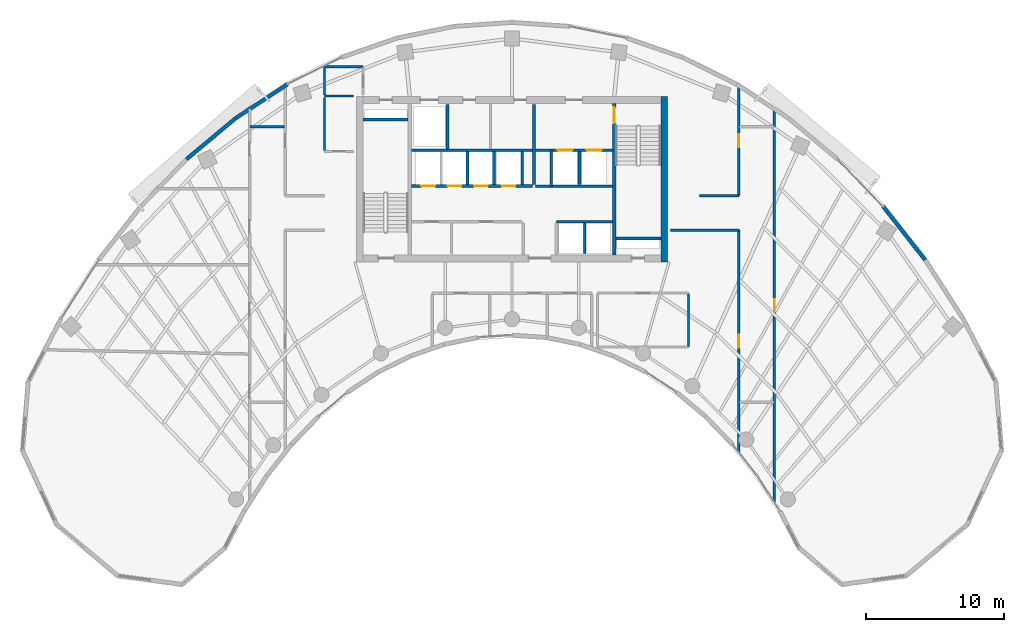
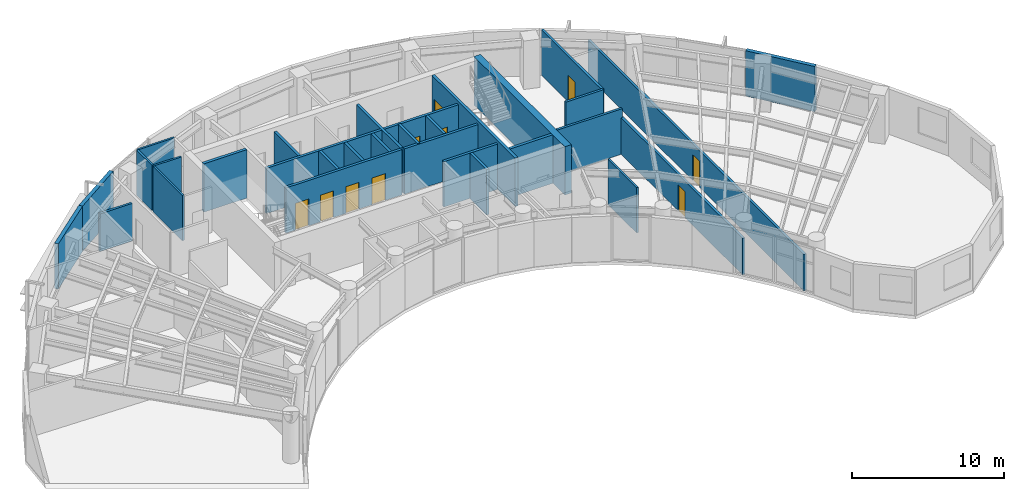
# One storey, part 9 of 13: 31 walls, 10 doors, 10 openings.
"""IFC4 building model written with IfcOpenShell, lengths in metres."""

from ifc_helpers import new_model, si_unit, direction, frame, frame_2d, origin, place, context, subcontext, project, spatial, rectangle, extrude, source, transform, mapped, material, layer, layer_set, type_object, type_shapes, element, fill, save


model = new_model("IFC4")

# Units and contexts
model_context = context("Model", 3, precision=1e-05, world=origin(), true_north=direction((0.0, 1.0)))
body_context = subcontext(model_context, "Body", "Model", "MODEL_VIEW")
ifc_project = project(units=[si_unit("LENGTHUNIT", "METRE"), si_unit("AREAUNIT", "SQUARE_METRE"), si_unit("VOLUMEUNIT", "CUBIC_METRE"), si_unit("PLANEANGLEUNIT", "RADIAN"), si_unit("MASSUNIT", "GRAM", prefix="KILO")], contexts=[model_context])

# Site, building, storey
site_placement = place(None, origin())
site = spatial("IfcSite", under=ifc_project, at=site_placement, CompositionType="ELEMENT")
building_placement = place(site_placement, origin())
building = spatial("IfcBuilding", under=site, at=building_placement, Name="Breltana Convention Tower", CompositionType="ELEMENT")
storey_placement = place(building_placement, frame((0.0, 0.0, 170.10009765625)))
storey = spatial("IfcBuildingStorey", under=building, at=storey_placement, Name="L41", CompositionType="ELEMENT", Elevation=170.10009765625)

# Walls
ifc_material_1 = material(Name="Concrete C60/75", Category="concrete")
ifc_layer_1 = layer(ifc_material_1, 0.5, Name="Concrete C60/75")
ifc_layer_set_1 = layer_set([ifc_layer_1], Name="Concrete C60/75")
wall_type_1 = type_object("IfcWallType", Name="SW-CORE-500", PredefinedType="SHEAR", material=ifc_layer_set_1)
shared_shape_1 = source(origin(), body_context, "Body", "SweptSolid", [
    extrude(rectangle(XDim=12.0, YDim=0.5, at=frame_2d((6.0, 0.0))), origin(), (0.0, 0.0, 1.0), 3.89990234375),
])
wall_1_placement = place(storey_placement, frame((59.050048828125, 60.199951171875, 0.0), z_axis=(0.0, 0.0, 1.0), x_axis=(0.0, 1.0, 0.0)))
element("IfcWall", 1, at=wall_1_placement, inside=storey, type_object=wall_type_1, Name="L41 East Core Shear Wall", PredefinedType="SHEAR", context=body_context, shape_type="MappedRepresentation", body=[
    mapped(shared_shape_1, transform((0.0, 0.0, 0.0), scale=1.0)),
])
ifc_material_2 = material(Name="Concrete C50/60", Category="concrete")
ifc_layer_2 = layer(ifc_material_2, 0.39990234375, Name="Concrete C50/60")
ifc_layer_set_2 = layer_set([ifc_layer_2], Name="Concrete C50/60")
wall_type_2 = type_object("IfcWallType", Name="SW-CORE-400", PredefinedType="SHEAR", material=ifc_layer_set_2)
shared_shape_2 = source(origin(), body_context, "Body", "SweptSolid", [
    extrude(rectangle(XDim=3.27001953125, YDim=0.219970703125, at=frame_2d((1.635009765625, 0.0))), origin(), (0.0, 0.0, 1.0), 3.89990234375),
])
for number, where, z_axis, x_axis, name in (
    (2, (37.199951171875, 70.510009765625, 0.0), (0.0, 0.0, 1.0), (1.0, 0.0, 0.0), "L41 ST-1 Stairwell North Bearing Wall"),
    (3, (55.530029296875, 61.889892578125, 0.0), (0.0, 0.0, 1.0), (1.0, 0.0, 0.0), "L41 ST-2 Stairwell South Bearing Wall"),
):
    element("IfcWall", number, at=place(storey_placement, frame(where, z_axis=z_axis, x_axis=x_axis)), inside=storey, type_object=wall_type_2, Name=name, PredefinedType="SHEAR", context=body_context, shape_type="MappedRepresentation", body=[
        mapped(shared_shape_2, transform((0.0, 0.0, 0.0), scale=1.0)),
    ])

# Wall, opening, door
shared_shape_3 = source(origin(), body_context, "Body", "SweptSolid", [
    extrude(rectangle(XDim=11.0, YDim=0.219970703125, at=frame_2d((5.5, 0.0))), origin(), (0.0, 0.0, 1.0), 3.89990234375),
])
wall_2_placement = place(storey_placement, frame((55.419921875, 60.699951171875, 0.0), z_axis=(0.0, 0.0, 1.0), x_axis=(0.0, 1.0, 0.0)))
wall_2 = element("IfcWall", 4, at=wall_2_placement, inside=storey, type_object=wall_type_2, Name="L41 Core East Stair Spine Wall", PredefinedType="SHEAR", context=body_context, shape_type="MappedRepresentation", body=[
    mapped(shared_shape_3, transform((0.0, 0.0, 0.0), scale=1.0)),
])
opening_1_placement = place(wall_2_placement, frame((9.544921875, 0.0, 0.0)))
opening_1 = element("IfcOpeningElement", 5, at=opening_1_placement, cuts=wall_2, Name="Opening D-11", PredefinedType="OPENING", context=body_context, shape_type="SweptSolid", body=[
    extrude(rectangle(XDim=1.14990234375, YDim=2.14990234375, at=frame_2d((0.574951171875, 1.074951171875))), frame((0.0, 0.1201171875, 0.0), z_axis=(0.0, -1.0, 0.0), x_axis=(1.0, 0.0, 0.0)), (0.0, 0.0, 1.0), 0.239990234375),
])
ifc_material_3 = material(Name="Steel Stair Exit Door", Category="steel")
door_type_1 = type_object("IfcDoorType", Name="DR-FD120-1150", OperationType="NOTDEFINED", PredefinedType="DOOR", material=ifc_material_3)
shared_shape_4 = source(origin(), body_context, "Body", "SweptSolid", [
    extrude(rectangle(XDim=1.14990234375, YDim=2.14990234375, at=frame_2d((0.574951171875, 1.074951171875))), frame((0.0, 0.02490234375, 0.0), z_axis=(0.0, -1.0, 0.0), x_axis=(1.0, 0.0, 0.0)), (0.0, 0.0, 1.0), 0.050048828125),
])
type_shapes(door_type_1, [shared_shape_4])
door_1_placement = place(opening_1_placement, origin())
door_1 = element("IfcDoor", 6, at=door_1_placement, inside=storey, type_object=door_type_1, Name="L41 interior door D-L41-ST2", OperationType="SINGLE_SWING_LEFT", OverallHeight=2.14990234375, OverallWidth=1.14990234375, PredefinedType="DOOR", context=body_context, shape_type="MappedRepresentation", body=[
    mapped(shared_shape_4, transform((0.0, 0.0, 0.0), scale=1.0)),
])
fill(opening_1, door_1)

# Walls
ifc_material_4 = material(Name="Limestone Buff Insulated Wall", Category="masonry")
ifc_layer_3 = layer(ifc_material_4, 0.280029296875, Name="Limestone Buff Insulated Wall")
ifc_layer_set_3 = layer_set([ifc_layer_3], Name="Limestone Buff Insulated Wall")
wall_type_3 = type_object("IfcWallType", Name="WL-EXT-NOSE-280", PredefinedType="SOLIDWALL", material=ifc_layer_set_3)
shared_shape_5 = source(origin(), body_context, "Body", "SweptSolid", [
    extrude(rectangle(XDim=4.921630859375, YDim=0.280029296875, at=frame_2d((2.4609375, 0.0))), origin(), (0.0, 0.0, 1.0), 3.64990234375),
])
wall_3_placement = place(storey_placement, frame((74.936279296875, 64.206298828125, 0.0), z_axis=(0.0, 0.0, 1.0), x_axis=(0.61817639101, -0.786039407153, 0.0)))
element("IfcWall", 7, at=wall_3_placement, inside=storey, type_object=wall_type_3, Name="L41 curved limestone nose wall E32", PredefinedType="SOLIDWALL", context=body_context, shape_type="MappedRepresentation", body=[
    mapped(shared_shape_5, transform((0.0, 0.0, 0.0), scale=1.0)),
])
shared_shape_6 = source(origin(), body_context, "Body", "SweptSolid", [
    extrude(rectangle(XDim=4.633544921875, YDim=0.280029296875, at=frame_2d((2.31689453125, 0.0))), origin(), (0.0, 0.0, 1.0), 3.64990234375),
])
wall_4_placement = place(storey_placement, frame((24.381103515625, 67.64208984375, 0.0), z_axis=(0.0, 0.0, 1.0), x_axis=(0.767910229096, 0.640557475993, 0.0)))
element("IfcWall", 8, at=wall_4_placement, inside=storey, type_object=wall_type_3, Name="L41 curved limestone nose wall E22", PredefinedType="SOLIDWALL", context=body_context, shape_type="MappedRepresentation", body=[
    mapped(shared_shape_6, transform((0.0, 0.0, 0.0), scale=1.0)),
])
shared_shape_7 = source(origin(), body_context, "Body", "SweptSolid", [
    extrude(rectangle(XDim=4.500732421875, YDim=0.280029296875, at=frame_2d((2.25048828125, 0.0))), origin(), (0.0, 0.0, 1.0), 3.64990234375),
])
wall_5_placement = place(storey_placement, frame((27.939208984375, 70.610107421875, 0.0), z_axis=(0.0, 0.0, 1.0), x_axis=(0.835984920737, 0.548752414391, 0.0)))
element("IfcWall", 9, at=wall_5_placement, inside=storey, type_object=wall_type_3, Name="L41 curved limestone nose wall E23", PredefinedType="SOLIDWALL", context=body_context, shape_type="MappedRepresentation", body=[
    mapped(shared_shape_7, transform((0.0, 0.0, 0.0), scale=1.0)),
])

# Wall, openings, doors
ifc_material_5 = material(Name="Autoclaved Aerated Concrete Block", Category="concrete")
ifc_layer_4 = layer(ifc_material_5, 0.199951171875, Name="Autoclaved Aerated Concrete Block")
ifc_layer_set_4 = layer_set([ifc_layer_4], Name="Autoclaved Aerated Concrete Block")
wall_type_4 = type_object("IfcWallType", Name="WL-SHAFT-200", PredefinedType="SOLIDWALL", material=ifc_layer_set_4)
shared_shape_8 = source(origin(), body_context, "Body", "SweptSolid", [
    extrude(rectangle(XDim=5.6201171875, YDim=0.199951171875, at=frame_2d((2.81005859375, 0.0))), origin(), (0.0, 0.0, 1.0), 3.64990234375),
])
wall_6_placement = place(storey_placement, frame((49.699951171875, 68.300048828125, 0.0), z_axis=(0.0, 0.0, 1.0), x_axis=(1.0, 0.0, 0.0)))
wall_6 = element("IfcWall", 10, at=wall_6_placement, inside=storey, type_object=wall_type_4, Name="L41 interior partition W-L41-FFL-S", PredefinedType="SOLIDWALL", context=body_context, shape_type="MappedRepresentation", body=[
    mapped(shared_shape_8, transform((0.0, 0.0, 0.0), scale=1.0)),
])
opening_2_placement = place(wall_6_placement, frame((1.60009765625, 0.0, 0.0)))
opening_2 = element("IfcOpeningElement", 11, at=opening_2_placement, cuts=wall_6, Name="Opening LD-03", PredefinedType="OPENING", context=body_context, shape_type="SweptSolid", body=[
    extrude(rectangle(XDim=1.10009765625, YDim=2.14990234375, at=frame_2d((0.550048828125, 1.074951171875))), frame((0.0, 0.10986328125, 0.0), z_axis=(0.0, -1.0, 0.0), x_axis=(1.0, 0.0, 0.0)), (0.0, 0.0, 1.0), 0.219970703125),
])
opening_3_placement = place(wall_6_placement, frame((3.699951171875, 0.0, 0.0)))
opening_3 = element("IfcOpeningElement", 12, at=opening_3_placement, cuts=wall_6, Name="Opening LD-03", PredefinedType="OPENING", context=body_context, shape_type="SweptSolid", body=[
    extrude(rectangle(XDim=1.10009765625, YDim=2.14990234375, at=frame_2d((0.550048828125, 1.074951171875))), frame((0.0, 0.10986328125, 0.0), z_axis=(0.0, -1.0, 0.0), x_axis=(1.0, 0.0, 0.0)), (0.0, 0.0, 1.0), 0.219970703125),
])
ifc_material_6 = material(Name="Stainless Steel Brushed", Category="steel")
door_type_2 = type_object("IfcDoorType", Name="DR-LD-FF-1100", OperationType="DOUBLE_DOOR_SLIDING", PredefinedType="DOOR", material=ifc_material_6)
shared_shape_9 = source(origin(), body_context, "Body", "SweptSolid", [
    extrude(rectangle(XDim=1.10009765625, YDim=2.14990234375, at=frame_2d((0.550048828125, 1.074951171875))), frame((0.0, 0.02490234375, 0.0), z_axis=(0.0, -1.0, 0.0), x_axis=(1.0, 0.0, 0.0)), (0.0, 0.0, 1.0), 0.050048828125),
])
type_shapes(door_type_2, [shared_shape_9])
door_2_placement = place(opening_2_placement, origin())
door_2 = element("IfcDoor", 13, at=door_2_placement, inside=storey, type_object=door_type_2, Name="L41 Lift Landing Door D-L41-LD-FL1", OperationType="DOUBLE_DOOR_SLIDING", OverallHeight=2.14990234375, OverallWidth=1.10009765625, PredefinedType="DOOR", context=body_context, shape_type="MappedRepresentation", body=[
    mapped(shared_shape_9, transform((0.0, 0.0, 0.0), scale=1.0)),
])
fill(opening_2, door_2)
door_3_placement = place(opening_3_placement, origin())
door_3 = element("IfcDoor", 14, at=door_3_placement, inside=storey, type_object=door_type_2, Name="L41 Lift Landing Door D-L41-LD-FL2", OperationType="DOUBLE_DOOR_SLIDING", OverallHeight=2.14990234375, OverallWidth=1.10009765625, PredefinedType="DOOR", context=body_context, shape_type="MappedRepresentation", body=[
    mapped(shared_shape_9, transform((0.0, 0.0, 0.0), scale=1.0)),
])
fill(opening_3, door_3)

# Walls
wall_7_placement = place(storey_placement, frame((49.699951171875, 65.679931640625, 0.0), z_axis=(0.0, 0.0, 1.0), x_axis=(1.0, 0.0, 0.0)))
element("IfcWall", 15, at=wall_7_placement, inside=storey, type_object=wall_type_4, Name="L41 interior partition W-L41-FL-S", PredefinedType="SOLIDWALL", context=body_context, shape_type="MappedRepresentation", body=[
    mapped(shared_shape_8, transform((0.0, 0.0, 0.0), scale=1.0)),
])
shared_shape_10 = source(origin(), body_context, "Body", "SweptSolid", [
    extrude(rectangle(XDim=5.800048828125, YDim=0.199951171875, at=frame_2d((2.89990234375, 0.0))), origin(), (0.0, 0.0, 1.0), 3.64990234375),
])
wall_8_placement = place(storey_placement, frame((49.60009765625, 65.800048828125, 0.0), z_axis=(0.0, 0.0, 1.0), x_axis=(0.0, 1.0, 0.0)))
element("IfcWall", 16, at=wall_8_placement, inside=storey, type_object=wall_type_4, Name="L41 interior partition W-L41-FFL-W", PredefinedType="SOLIDWALL", context=body_context, shape_type="MappedRepresentation", body=[
    mapped(shared_shape_10, transform((0.0, 0.0, 0.0), scale=1.0)),
])
shared_shape_11 = source(origin(), body_context, "Body", "SweptSolid", [
    extrude(rectangle(XDim=2.580078125, YDim=0.199951171875, at=frame_2d((1.2900390625, 0.0))), origin(), (0.0, 0.0, 1.0), 3.64990234375),
])
wall_9_placement = place(storey_placement, frame((50.85009765625, 65.679931640625, 0.0), z_axis=(0.0, 0.0, 1.0), x_axis=(0.0, 1.0, 0.0)))
element("IfcWall", 17, at=wall_9_placement, inside=storey, type_object=wall_type_4, Name="L41 interior partition W-L41-FL-W", PredefinedType="SOLIDWALL", context=body_context, shape_type="MappedRepresentation", body=[
    mapped(shared_shape_11, transform((0.0, 0.0, 0.0), scale=1.0)),
])
shared_shape_12 = source(origin(), body_context, "Body", "SweptSolid", [
    extrude(rectangle(XDim=2.39990234375, YDim=0.199951171875, at=frame_2d((1.199951171875, 0.0))), origin(), (0.0, 0.0, 1.0), 3.64990234375),
])
for number, where, z_axis, x_axis, name in (
    (18, (52.89990234375, 65.800048828125, 0.0), (0.0, 0.0, 1.0), (0.0, 1.0, 0.0), "L41 interior partition W-L41-FL-DIV"),
    (19, (48.75, 65.800048828125, 0.0), (0.0, 0.0, 1.0), (0.0, 1.0, 0.0), "L41 interior partition W-L41-SH-M-END"),
    (20, (44.77001953125, 65.800048828125, 0.0), (0.0, 0.0, 1.0), (0.0, 1.0, 0.0), "L41 interior partition W-L41-SH-M-DIV2"),
    (21, (46.699951171875, 65.800048828125, 0.0), (0.0, 0.0, 1.0), (0.0, 1.0, 0.0), "L41 interior partition W-L41-SH-M-DIV3"),
):
    element("IfcWall", number, at=place(storey_placement, frame(where, z_axis=z_axis, x_axis=x_axis)), inside=storey, type_object=wall_type_4, Name=name, PredefinedType="SOLIDWALL", context=body_context, shape_type="MappedRepresentation", body=[
        mapped(shared_shape_12, transform((0.0, 0.0, 0.0), scale=1.0)),
    ])
shared_shape_13 = source(origin(), body_context, "Body", "SweptSolid", [
    extrude(rectangle(XDim=3.2001953125, YDim=0.199951171875, at=frame_2d((1.60009765625, 0.0))), origin(), (0.0, 0.0, 1.0), 3.64990234375),
])
wall_10_placement = place(storey_placement, frame((43.320068359375, 68.39990234375, 0.0), z_axis=(0.0, 0.0, 1.0), x_axis=(0.0, 1.0, 0.0)))
element("IfcWall", 22, at=wall_10_placement, inside=storey, type_object=wall_type_4, Name="L41 interior partition W-L41-SV-E", PredefinedType="SOLIDWALL", context=body_context, shape_type="MappedRepresentation", body=[
    mapped(shared_shape_13, transform((0.0, 0.0, 0.0), scale=1.0)),
])
shared_shape_14 = source(origin(), body_context, "Body", "SweptSolid", [
    extrude(rectangle(XDim=8.800048828125, YDim=0.199951171875, at=frame_2d((4.39990234375, 0.0))), origin(), (0.0, 0.0, 1.0), 3.64990234375),
])
wall_11_placement = place(storey_placement, frame((40.699951171875, 68.300048828125, 0.0), z_axis=(0.0, 0.0, 1.0), x_axis=(1.0, 0.0, 0.0)))
element("IfcWall", 23, at=wall_11_placement, inside=storey, type_object=wall_type_4, Name="L41 interior partition W-L41-SV-S", PredefinedType="SOLIDWALL", context=body_context, shape_type="MappedRepresentation", body=[
    mapped(shared_shape_14, transform((0.0, 0.0, 0.0), scale=1.0)),
])

# Wall, openings, doors
wall_12_placement = place(storey_placement, frame((40.699951171875, 65.699951171875, 0.0), z_axis=(0.0, 0.0, 1.0), x_axis=(1.0, 0.0, 0.0)))
wall_12 = element("IfcWall", 24, at=wall_12_placement, inside=storey, type_object=wall_type_4, Name="L41 interior partition W-L41-SH-M-FRONT", PredefinedType="SOLIDWALL", context=body_context, shape_type="MappedRepresentation", body=[
    mapped(shared_shape_14, transform((0.0, 0.0, 0.0), scale=1.0)),
])
opening_4_placement = place(wall_12_placement, frame((0.719970703125, 0.0, 0.0)))
opening_4 = element("IfcOpeningElement", 25, at=opening_4_placement, cuts=wall_12, Name="Opening LD-04", PredefinedType="OPENING", context=body_context, shape_type="SweptSolid", body=[
    extrude(rectangle(XDim=1.0, YDim=2.14990234375, at=frame_2d((0.5, 1.074951171875))), frame((0.0, 0.10986328125, 0.0), z_axis=(0.0, -1.0, 0.0), x_axis=(1.0, 0.0, 0.0)), (0.0, 0.0, 1.0), 0.219970703125),
])
opening_5_placement = place(wall_12_placement, frame((2.6201171875, 0.0, 0.0)))
opening_5 = element("IfcOpeningElement", 26, at=opening_5_placement, cuts=wall_12, Name="Opening LD-04", PredefinedType="OPENING", context=body_context, shape_type="SweptSolid", body=[
    extrude(rectangle(XDim=1.0, YDim=2.14990234375, at=frame_2d((0.5, 1.074951171875))), frame((0.0, 0.10986328125, 0.0), z_axis=(0.0, -1.0, 0.0), x_axis=(1.0, 0.0, 0.0)), (0.0, 0.0, 1.0), 0.219970703125),
])
opening_6_placement = place(wall_12_placement, frame((4.550048828125, 0.0, 0.0)))
opening_6 = element("IfcOpeningElement", 27, at=opening_6_placement, cuts=wall_12, Name="Opening LD-04", PredefinedType="OPENING", context=body_context, shape_type="SweptSolid", body=[
    extrude(rectangle(XDim=1.0, YDim=2.14990234375, at=frame_2d((0.5, 1.074951171875))), frame((0.0, 0.10986328125, 0.0), z_axis=(0.0, -1.0, 0.0), x_axis=(1.0, 0.0, 0.0)), (0.0, 0.0, 1.0), 0.219970703125),
])
opening_7_placement = place(wall_12_placement, frame((6.550048828125, 0.0, 0.0)))
opening_7 = element("IfcOpeningElement", 28, at=opening_7_placement, cuts=wall_12, Name="Opening LD-04", PredefinedType="OPENING", context=body_context, shape_type="SweptSolid", body=[
    extrude(rectangle(XDim=1.0, YDim=2.14990234375, at=frame_2d((0.5, 1.074951171875))), frame((0.0, 0.10986328125, 0.0), z_axis=(0.0, -1.0, 0.0), x_axis=(1.0, 0.0, 0.0)), (0.0, 0.0, 1.0), 0.219970703125),
])
door_type_3 = type_object("IfcDoorType", Name="DR-LD-PAX-1000", OperationType="DOUBLE_DOOR_SLIDING", PredefinedType="DOOR", material=ifc_material_6)
shared_shape_15 = source(origin(), body_context, "Body", "SweptSolid", [
    extrude(rectangle(XDim=1.0, YDim=2.14990234375, at=frame_2d((0.5, 1.074951171875))), frame((0.0, 0.02490234375, 0.0), z_axis=(0.0, -1.0, 0.0), x_axis=(1.0, 0.0, 0.0)), (0.0, 0.0, 1.0), 0.050048828125),
])
type_shapes(door_type_3, [shared_shape_15])
door_4_placement = place(opening_4_placement, origin())
door_4 = element("IfcDoor", 29, at=door_4_placement, inside=storey, type_object=door_type_3, Name="L41 Lift Landing Door D-L41-LD-M1", OperationType="DOUBLE_DOOR_SLIDING", OverallHeight=2.14990234375, OverallWidth=1.0, PredefinedType="DOOR", context=body_context, shape_type="MappedRepresentation", body=[
    mapped(shared_shape_15, transform((0.0, 0.0, 0.0), scale=1.0)),
])
fill(opening_4, door_4)
door_5_placement = place(opening_5_placement, origin())
door_5 = element("IfcDoor", 30, at=door_5_placement, inside=storey, type_object=door_type_3, Name="L41 Lift Landing Door D-L41-LD-M2", OperationType="DOUBLE_DOOR_SLIDING", OverallHeight=2.14990234375, OverallWidth=1.0, PredefinedType="DOOR", context=body_context, shape_type="MappedRepresentation", body=[
    mapped(shared_shape_15, transform((0.0, 0.0, 0.0), scale=1.0)),
])
fill(opening_5, door_5)
door_6_placement = place(opening_6_placement, origin())
door_6 = element("IfcDoor", 31, at=door_6_placement, inside=storey, type_object=door_type_3, Name="L41 Lift Landing Door D-L41-LD-M3", OperationType="DOUBLE_DOOR_SLIDING", OverallHeight=2.14990234375, OverallWidth=1.0, PredefinedType="DOOR", context=body_context, shape_type="MappedRepresentation", body=[
    mapped(shared_shape_15, transform((0.0, 0.0, 0.0), scale=1.0)),
])
fill(opening_6, door_6)
door_7_placement = place(opening_7_placement, origin())
door_7 = element("IfcDoor", 32, at=door_7_placement, inside=storey, type_object=door_type_3, Name="L41 Lift Landing Door D-L41-LD-M4", OperationType="DOUBLE_DOOR_SLIDING", OverallHeight=2.14990234375, OverallWidth=1.0, PredefinedType="DOOR", context=body_context, shape_type="MappedRepresentation", body=[
    mapped(shared_shape_15, transform((0.0, 0.0, 0.0), scale=1.0)),
])
fill(opening_7, door_7)

# Walls
shared_shape_16 = source(origin(), body_context, "Body", "SweptSolid", [
    extrude(rectangle(XDim=4.10009765625, YDim=0.199951171875, at=frame_2d((2.050048828125, 0.0))), origin(), (0.0, 0.0, 1.0), 3.64990234375),
])
wall_13_placement = place(storey_placement, frame((51.219970703125, 63.10009765625, 0.0), z_axis=(0.0, 0.0, 1.0), x_axis=(1.0, 0.0, 0.0)))
element("IfcWall", 33, at=wall_13_placement, inside=storey, type_object=wall_type_4, Name="L41 interior partition W-L41-SH-X-FRONT", PredefinedType="SOLIDWALL", context=body_context, shape_type="MappedRepresentation", body=[
    mapped(shared_shape_16, transform((0.0, 0.0, 0.0), scale=1.0)),
])
shared_shape_17 = source(origin(), body_context, "Body", "SweptSolid", [
    extrude(rectangle(XDim=2.199951171875, YDim=0.199951171875, at=frame_2d((1.10009765625, 0.0))), origin(), (0.0, 0.0, 1.0), 3.64990234375),
])
wall_14_placement = place(storey_placement, frame((53.280029296875, 60.800048828125, 0.0), z_axis=(0.0, 0.0, 1.0), x_axis=(0.0, 1.0, 0.0)))
element("IfcWall", 34, at=wall_14_placement, inside=storey, type_object=wall_type_4, Name="L41 interior partition W-L41-SH-X-DIV", PredefinedType="SOLIDWALL", context=body_context, shape_type="MappedRepresentation", body=[
    mapped(shared_shape_17, transform((0.0, 0.0, 0.0), scale=1.0)),
])
ifc_material_7 = material(Name="Gypsum Acoustic Drywall Partition")
ifc_layer_5 = layer(ifc_material_7, 0.14990234375, Name="Gypsum Acoustic Drywall Partition")
ifc_layer_set_5 = layer_set([ifc_layer_5], Name="Gypsum Acoustic Drywall Partition")
wall_type_5 = type_object("IfcWallType", Name="WL-PART-150", PredefinedType="PARTITIONING", material=ifc_layer_set_5)
shared_shape_18 = source(origin(), body_context, "Body", "SweptSolid", [
    extrude(rectangle(XDim=3.78515625, YDim=0.14990234375, at=frame_2d((1.892578125, 0.0))), origin(), (0.0, 0.0, 1.0), 3.64990234375),
])
wall_15_placement = place(storey_placement, frame((60.800048828125, 54.0673828125, 0.0), z_axis=(0.0, 0.0, 1.0), x_axis=(0.0, 1.0, 0.0)))
element("IfcWall", 35, at=wall_15_placement, inside=storey, type_object=wall_type_5, Name="L41 interior partition W-L41-PNT-E", PredefinedType="PARTITIONING", context=body_context, shape_type="MappedRepresentation", body=[
    mapped(shared_shape_18, transform((0.0, 0.0, 0.0), scale=1.0)),
])
shared_shape_19 = source(origin(), body_context, "Body", "SweptSolid", [
    extrude(rectangle(XDim=2.10009765625, YDim=0.14990234375, at=frame_2d((1.050048828125, 0.0))), origin(), (0.0, 0.0, 1.0), 3.64990234375),
])
wall_16_placement = place(storey_placement, frame((34.39990234375, 72.219970703125, 0.0), z_axis=(0.0, 0.0, 1.0), x_axis=(1.0, 0.0, 0.0)))
element("IfcWall", 36, at=wall_16_placement, inside=storey, type_object=wall_type_5, Name="L41 interior partition W-L41-CRNW-S", PredefinedType="PARTITIONING", context=body_context, shape_type="MappedRepresentation", body=[
    mapped(shared_shape_19, transform((0.0, 0.0, 0.0), scale=1.0)),
])
shared_shape_20 = source(origin(), body_context, "Body", "SweptSolid", [
    extrude(rectangle(XDim=2.800048828125, YDim=0.14990234375, at=frame_2d((1.39990234375, 0.0))), origin(), (0.0, 0.0, 1.0), 3.64990234375),
])
wall_17_placement = place(storey_placement, frame((34.39990234375, 74.35009765625, 0.0), z_axis=(0.0, 0.0, 1.0), x_axis=(1.0, 0.0, 0.0)))
element("IfcWall", 37, at=wall_17_placement, inside=storey, type_object=wall_type_5, Name="L41 interior partition W-L41-CRNW-N", PredefinedType="PARTITIONING", context=body_context, shape_type="MappedRepresentation", body=[
    mapped(shared_shape_20, transform((0.0, 0.0, 0.0), scale=1.0)),
])
shared_shape_21 = source(origin(), body_context, "Body", "SweptSolid", [
    extrude(rectangle(XDim=1.994873046875, YDim=0.14990234375, at=frame_2d((0.99755859375, 0.0))), origin(), (0.0, 0.0, 1.0), 3.64990234375),
])
wall_18_placement = place(storey_placement, frame((34.39990234375, 72.28759765625, 0.0), z_axis=(0.0, 0.0, 1.0), x_axis=(0.0, 1.0, 0.0)))
element("IfcWall", 38, at=wall_18_placement, inside=storey, type_object=wall_type_5, Name="L41 interior partition W-L41-CRNW-W", PredefinedType="PARTITIONING", context=body_context, shape_type="MappedRepresentation", body=[
    mapped(shared_shape_21, transform((0.0, 0.0, 0.0), scale=1.0)),
])
shared_shape_22 = source(origin(), body_context, "Body", "SweptSolid", [
    extrude(rectangle(XDim=3.844970703125, YDim=0.14990234375, at=frame_2d((1.92236328125, 0.0))), origin(), (0.0, 0.0, 1.0), 3.64990234375),
])
wall_19_placement = place(storey_placement, frame((34.39990234375, 68.267578125, 0.0), z_axis=(0.0, 0.0, 1.0), x_axis=(0.0, 1.0, 0.0)))
element("IfcWall", 39, at=wall_19_placement, inside=storey, type_object=wall_type_5, Name="L41 interior partition W-L41-CRSW-W", PredefinedType="PARTITIONING", context=body_context, shape_type="MappedRepresentation", body=[
    mapped(shared_shape_22, transform((0.0, 0.0, 0.0), scale=1.0)),
])
ifc_material_8 = material(Name="Moisture-Resistant Gypsum Chase Wall")
ifc_layer_6 = layer(ifc_material_8, 0.179931640625, Name="Moisture-Resistant Gypsum Chase Wall")
ifc_layer_set_6 = layer_set([ifc_layer_6], Name="Moisture-Resistant Gypsum Chase Wall")
wall_type_6 = type_object("IfcWallType", Name="WL-PLUMB-180", PredefinedType="PLUMBINGWALL", material=ifc_layer_set_6)
shared_shape_23 = source(origin(), body_context, "Body", "SweptSolid", [
    extrude(rectangle(XDim=2.5, YDim=0.179931640625, at=frame_2d((1.25, 0.0))), origin(), (0.0, 0.0, 1.0), 3.02197265625),
])
wall_20_placement = place(storey_placement, frame((29.0, 70.0, 0.0), z_axis=(0.0, 0.0, 1.0), x_axis=(1.0, 0.0, 0.0)))
element("IfcWall", 40, at=wall_20_placement, inside=storey, type_object=wall_type_6, Name="L41 interior partition W-L41-CORNW-N", PredefinedType="PLUMBINGWALL", context=body_context, shape_type="MappedRepresentation", body=[
    mapped(shared_shape_23, transform((0.0, 0.0, 0.0), scale=1.0)),
])

# Wall, opening, door
shared_shape_24 = source(origin(), body_context, "Body", "SweptSolid", [
    extrude(rectangle(XDim=28.503173828125, YDim=0.179931640625, at=frame_2d((14.25146484375, 0.0))), origin(), (0.0, 0.0, 1.0), 2.94189453125),
])
wall_21_placement = place(storey_placement, frame((67.0400390625, 42.764892578125, 0.0), z_axis=(0.0, 0.0, 1.0), x_axis=(0.0, 1.0, 0.0)))
wall_21 = element("IfcWall", 41, at=wall_21_placement, inside=storey, type_object=wall_type_6, Name="L41 interior partition W-L41-ZE1-W", PredefinedType="PLUMBINGWALL", context=body_context, shape_type="MappedRepresentation", body=[
    mapped(shared_shape_24, transform((0.0, 0.0, 0.0), scale=1.0)),
])
opening_8_placement = place(wall_21_placement, frame((13.801513671875, 0.0, 0.0)))
opening_8 = element("IfcOpeningElement", 42, at=opening_8_placement, cuts=wall_21, Name="Opening D-19", PredefinedType="OPENING", context=body_context, shape_type="SweptSolid", body=[
    extrude(rectangle(XDim=0.89990234375, YDim=2.080078125, at=frame_2d((0.449951171875, 1.0400390625))), frame((0.0, 0.10009765625, 0.0), z_axis=(0.0, -1.0, 0.0), x_axis=(1.0, 0.0, 0.0)), (0.0, 0.0, 1.0), 0.199951171875),
])
ifc_material_9 = material(Name="Timber Moisture-Resistant Door", Category="wood")
door_type_4 = type_object("IfcDoorType", Name="DR-WC-900", OperationType="NOTDEFINED", PredefinedType="DOOR", material=ifc_material_9)
shared_shape_25 = source(origin(), body_context, "Body", "SweptSolid", [
    extrude(rectangle(XDim=0.89990234375, YDim=2.080078125, at=frame_2d((0.449951171875, 1.0400390625))), frame((0.0, 0.02490234375, 0.0), z_axis=(0.0, -1.0, 0.0), x_axis=(1.0, 0.0, 0.0)), (0.0, 0.0, 1.0), 0.050048828125),
])
type_shapes(door_type_4, [shared_shape_25])
door_8_placement = place(opening_8_placement, origin())
door_8 = element("IfcDoor", 43, at=door_8_placement, inside=storey, type_object=door_type_4, Name="L41 interior door D-L41-ZE1", OperationType="SINGLE_SWING_LEFT", OverallHeight=2.080078125, OverallWidth=0.89990234375, PredefinedType="DOOR", context=body_context, shape_type="MappedRepresentation", body=[
    mapped(shared_shape_25, transform((0.0, 0.0, 0.0), scale=1.0)),
])
fill(opening_8, door_8)

shared_shape_26 = source(origin(), body_context, "Body", "SweptSolid", [
    extrude(rectangle(XDim=16.1064453125, YDim=0.179931640625, at=frame_2d((8.05322265625, 0.0))), origin(), (0.0, 0.0, 1.0), 2.94189453125),
])
wall_22_placement = place(storey_placement, frame((64.4599609375, 46.3935546875, 0.0), z_axis=(0.0, 0.0, 1.0), x_axis=(0.0, 1.0, 0.0)))
wall_22 = element("IfcWall", 44, at=wall_22_placement, inside=storey, type_object=wall_type_6, Name="L41 interior partition W-L41-ZME1-D", PredefinedType="PLUMBINGWALL", context=body_context, shape_type="MappedRepresentation", body=[
    mapped(shared_shape_26, transform((0.0, 0.0, 0.0), scale=1.0)),
])
opening_9_placement = place(wall_22_placement, frame((7.578125, 0.0, 0.0)))
opening_9 = element("IfcOpeningElement", 45, at=opening_9_placement, cuts=wall_22, Name="Opening D-17", PredefinedType="OPENING", context=body_context, shape_type="SweptSolid", body=[
    extrude(rectangle(XDim=0.949951171875, YDim=2.10009765625, at=frame_2d((0.47509765625, 1.050048828125))), frame((0.0, 0.10009765625, 0.0), z_axis=(0.0, -1.0, 0.0), x_axis=(1.0, 0.0, 0.0)), (0.0, 0.0, 1.0), 0.199951171875),
])
ifc_material_10 = material(Name="Timber Oak Veneer Door", Category="wood")
door_type_5 = type_object("IfcDoorType", Name="DR-INT-950", OperationType="NOTDEFINED", PredefinedType="DOOR", material=ifc_material_10)
shared_shape_27 = source(origin(), body_context, "Body", "SweptSolid", [
    extrude(rectangle(XDim=0.949951171875, YDim=2.10009765625, at=frame_2d((0.47509765625, 1.050048828125))), frame((0.0, 0.02490234375, 0.0), z_axis=(0.0, -1.0, 0.0), x_axis=(1.0, 0.0, 0.0)), (0.0, 0.0, 1.0), 0.050048828125),
])
type_shapes(door_type_5, [shared_shape_27])
door_9_placement = place(opening_9_placement, origin())
door_9 = element("IfcDoor", 46, at=door_9_placement, inside=storey, type_object=door_type_5, Name="L41 interior door D-L41-ZME1", OperationType="SINGLE_SWING_RIGHT", OverallHeight=2.10009765625, OverallWidth=0.949951171875, PredefinedType="DOOR", context=body_context, shape_type="MappedRepresentation", body=[
    mapped(shared_shape_27, transform((0.0, 0.0, 0.0), scale=1.0)),
])
fill(opening_9, door_9)

# Wall
shared_shape_28 = source(origin(), body_context, "Body", "SweptSolid", [
    extrude(rectangle(XDim=2.85986328125, YDim=0.179931640625, at=frame_2d((1.429931640625, 0.0))), origin(), (0.0, 0.0, 1.0), 3.64990234375),
])
wall_23_placement = place(storey_placement, frame((61.60009765625, 65.0, 0.0), z_axis=(0.0, 0.0, 1.0), x_axis=(1.0, 0.0, 0.0)))
element("IfcWall", 47, at=wall_23_placement, inside=storey, type_object=wall_type_6, Name="L41 interior partition W-L41-ZME2-TS", PredefinedType="PLUMBINGWALL", context=body_context, shape_type="MappedRepresentation", body=[
    mapped(shared_shape_28, transform((0.0, 0.0, 0.0), scale=1.0)),
])

# Wall, opening, door
shared_shape_29 = source(origin(), body_context, "Body", "SweptSolid", [
    extrude(rectangle(XDim=7.9619140625, YDim=0.179931640625, at=frame_2d((3.98095703125, 0.0))), origin(), (0.0, 0.0, 1.0), 3.64990234375),
])
wall_24_placement = place(storey_placement, frame((64.4599609375, 65.0, 0.0), z_axis=(0.0, 0.0, 1.0), x_axis=(0.0, 1.0, 0.0)))
wall_24 = element("IfcWall", 48, at=wall_24_placement, inside=storey, type_object=wall_type_6, Name="L41 interior partition W-L41-ZME2-D", PredefinedType="PLUMBINGWALL", context=body_context, shape_type="MappedRepresentation", body=[
    mapped(shared_shape_29, transform((0.0, 0.0, 0.0), scale=1.0)),
])
opening_10_placement = place(wall_24_placement, frame((3.505859375, 0.0, 0.0)))
opening_10 = element("IfcOpeningElement", 49, at=opening_10_placement, cuts=wall_24, Name="Opening D-17", PredefinedType="OPENING", context=body_context, shape_type="SweptSolid", body=[
    extrude(rectangle(XDim=0.949951171875, YDim=2.10009765625, at=frame_2d((0.47509765625, 1.050048828125))), frame((0.0, 0.10009765625, 0.0), z_axis=(0.0, -1.0, 0.0), x_axis=(1.0, 0.0, 0.0)), (0.0, 0.0, 1.0), 0.199951171875),
])
door_10_placement = place(opening_10_placement, origin())
door_10 = element("IfcDoor", 50, at=door_10_placement, inside=storey, type_object=door_type_5, Name="L41 interior door D-L41-ZME2", OperationType="SINGLE_SWING_LEFT", OverallHeight=2.10009765625, OverallWidth=0.949951171875, PredefinedType="DOOR", context=body_context, shape_type="MappedRepresentation", body=[
    mapped(shared_shape_27, transform((0.0, 0.0, 0.0), scale=1.0)),
])
fill(opening_10, door_10)

# Wall
shared_shape_30 = source(origin(), body_context, "Body", "SweptSolid", [
    extrude(rectangle(XDim=4.9599609375, YDim=0.179931640625, at=frame_2d((2.47998046875, 0.0))), origin(), (0.0, 0.0, 1.0), 3.64990234375),
])
wall_25_placement = place(storey_placement, frame((59.5, 62.5, 0.0), z_axis=(0.0, 0.0, 1.0), x_axis=(1.0, 0.0, 0.0)))
element("IfcWall", 51, at=wall_25_placement, inside=storey, type_object=wall_type_6, Name="L41 interior partition W-L41-ZME1-TN", PredefinedType="PLUMBINGWALL", context=body_context, shape_type="MappedRepresentation", body=[
    mapped(shared_shape_30, transform((0.0, 0.0, 0.0), scale=1.0)),
])

save(model, "model.ifc")
